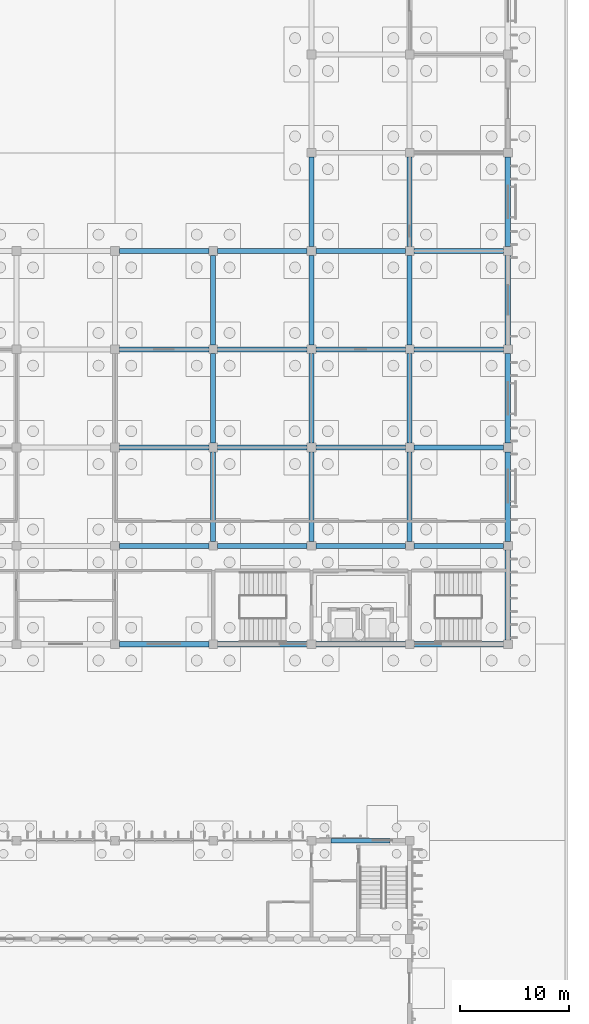
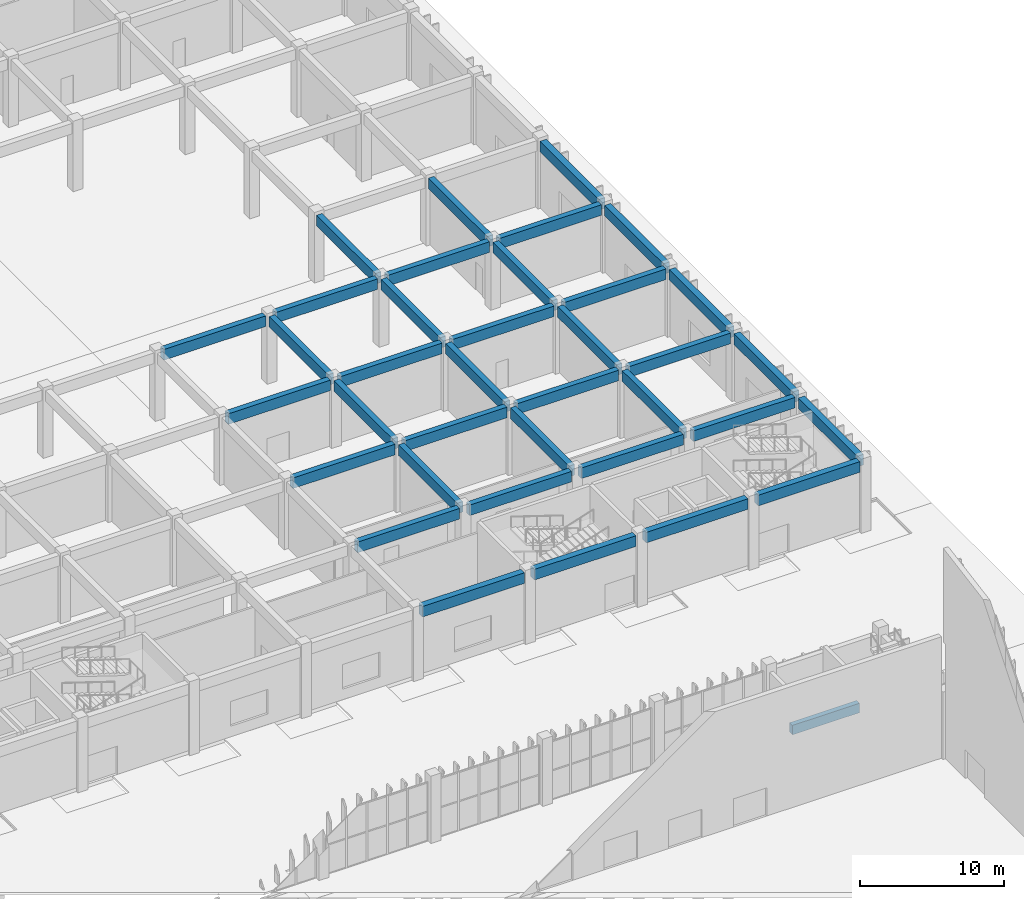
# One storey, part 57 of 198: 37 beams.
"""IFC4 building model written with IfcOpenShell, lengths in metres."""

from ifc_helpers import new_model, si_unit, direction, frame, origin, origin_2d, place, context, subcontext, project, spatial, rectangle, extrude, material, material_profile, profile_set, type_object, element, save


model = new_model("IFC4")

# Units and contexts
model_context = context("Model", 3, precision=1e-05, world=origin(), true_north=direction((0.0, 1.0)))
body_context = subcontext(model_context, "Body", "Model", "MODEL_VIEW")
ifc_project = project(units=[si_unit("LENGTHUNIT", "METRE"), si_unit("AREAUNIT", "SQUARE_METRE"), si_unit("VOLUMEUNIT", "CUBIC_METRE"), si_unit("PLANEANGLEUNIT", "RADIAN"), si_unit("MASSUNIT", "GRAM", prefix="KILO")], contexts=[model_context])

# Site, building, storey
site_placement = place(None, origin())
site = spatial("IfcSite", under=ifc_project, at=site_placement, CompositionType="ELEMENT")
building_placement = place(site_placement, origin())
building = spatial("IfcBuilding", under=site, at=building_placement, Name="Opaline Strait Convention Centre", CompositionType="ELEMENT")
storey_placement = place(building_placement, origin())
storey = spatial("IfcBuildingStorey", under=building, at=storey_placement, Name="L00", CompositionType="ELEMENT", Elevation=0.0)

# Beams
ifc_material = material(Name="Concrete C35", Category="concrete")
ifc_material_profile_1 = material_profile(ifc_material, rectangle(XDim=0.39990234375, YDim=0.800048828125, at=origin_2d()), Name="RC 400x800")
ifc_profile_set_1 = profile_set([ifc_material_profile_1], Name="Concrete C35")
beam_type_1 = type_object("IfcBeamType", Name="Ground beam 400x800 C35", PredefinedType="BEAM", material=ifc_profile_set_1)
beam_placement = place(storey_placement, frame((343.800048828125, 72.0, -0.699951171875), z_axis=(1.0, 0.0, 0.0), x_axis=(0.0, 1.0, 0.0)))
element("IfcBeam", 1, at=beam_placement, inside=storey, type_object=beam_type_1, Name="BG1 ground beam 39/J-40/J", PredefinedType="BEAM", context=body_context, shape_type="SweptSolid", body=[
    extrude(rectangle(XDim=0.39990234375, YDim=0.800048828125, at=origin_2d()), origin(), (0.0, 0.0, 1.0), 5.39990234375),
])
ifc_material_profile_2 = material_profile(ifc_material, rectangle(XDim=0.449951171875, YDim=0.89990234375, at=origin_2d()), Name="RC 450x900")
ifc_profile_set_2 = profile_set([ifc_material_profile_2], Name="Concrete C35")
beam_type_2 = type_object("IfcBeamType", Name="RC beam 450x900 C35", PredefinedType="BEAM", material=ifc_profile_set_2)
for number, where, z_axis, x_axis, name in (
    (2, (324.39990234375, 99.0, 5.27001953125), (1.0, 0.0, 0.0), (0.0, 1.0, 0.0), "XB1 L00 37/M-38/M"),
    (3, (333.39990234375, 99.0, 5.27001953125), (1.0, 0.0, 0.0), (0.0, 1.0, 0.0), "XB1 L00 38/M-39/M"),
    (4, (342.39990234375, 99.0, 5.27001953125), (1.0, 0.0, 0.0), (0.0, 1.0, 0.0), "XB1 L00 39/M-40/M"),
    (5, (351.39990234375, 99.0, 5.27001953125), (1.0, 0.0, 0.0), (0.0, 1.0, 0.0), "XB1 L00 40/M-41/M"),
    (6, (324.39990234375, 108.0, 5.27001953125), (1.0, 0.0, 0.0), (0.0, 1.0, 0.0), "XB1 L00 37/N-38/N"),
    (7, (333.39990234375, 108.0, 5.27001953125), (1.0, 0.0, 0.0), (0.0, 1.0, 0.0), "XB1 L00 38/N-39/N"),
    (8, (342.39990234375, 108.0, 5.27001953125), (1.0, 0.0, 0.0), (0.0, 1.0, 0.0), "XB1 L00 39/N-40/N"),
    (9, (351.39990234375, 108.0, 5.27001953125), (1.0, 0.0, 0.0), (0.0, 1.0, 0.0), "XB1 L00 40/N-41/N"),
    (10, (324.39990234375, 117.0, 5.27001953125), (1.0, 0.0, 0.0), (0.0, 1.0, 0.0), "XB1 L00 37/P-38/P"),
    (11, (333.39990234375, 117.0, 5.27001953125), (1.0, 0.0, 0.0), (0.0, 1.0, 0.0), "XB1 L00 38/P-39/P"),
    (12, (342.39990234375, 117.0, 5.27001953125), (1.0, 0.0, 0.0), (0.0, 1.0, 0.0), "XB1 L00 39/P-40/P"),
    (13, (351.39990234375, 117.0, 5.27001953125), (1.0, 0.0, 0.0), (0.0, 1.0, 0.0), "XB1 L00 40/P-41/P"),
    (14, (324.39990234375, 126.0, 5.27001953125), (1.0, 0.0, 0.0), (0.0, 1.0, 0.0), "XB1 L00 37/Q-38/Q"),
    (15, (333.39990234375, 126.0, 5.27001953125), (1.0, 0.0, 0.0), (0.0, 1.0, 0.0), "XB1 L00 38/Q-39/Q"),
    (16, (342.39990234375, 126.0, 5.27001953125), (1.0, 0.0, 0.0), (0.0, 1.0, 0.0), "XB1 L00 39/Q-40/Q"),
    (17, (351.39990234375, 126.0, 5.27001953125), (1.0, 0.0, 0.0), (0.0, 1.0, 0.0), "XB1 L00 40/Q-41/Q"),
    (18, (333.0, 99.39990234375, 5.27001953125), (0.0, 1.0, 0.0), (-1.0, 0.0, 0.0), "XB1 L00 38/M-38/N"),
    (19, (333.0, 108.39990234375, 5.27001953125), (0.0, 1.0, 0.0), (-1.0, 0.0, 0.0), "XB1 L00 38/N-38/P"),
    (20, (333.0, 117.39990234375, 5.27001953125), (0.0, 1.0, 0.0), (-1.0, 0.0, 0.0), "XB1 L00 38/P-38/Q"),
    (21, (342.0, 99.39990234375, 5.27001953125), (0.0, 1.0, 0.0), (-1.0, 0.0, 0.0), "XB1 L00 39/M-39/N"),
    (22, (342.0, 108.39990234375, 5.27001953125), (0.0, 1.0, 0.0), (-1.0, 0.0, 0.0), "XB1 L00 39/N-39/P"),
    (23, (342.0, 117.39990234375, 5.27001953125), (0.0, 1.0, 0.0), (-1.0, 0.0, 0.0), "XB1 L00 39/P-39/Q"),
    (24, (342.0, 126.39990234375, 5.27001953125), (0.0, 1.0, 0.0), (-1.0, 0.0, 0.0), "XB1 L00 39/Q-39/R"),
    (25, (351.0, 99.39990234375, 5.27001953125), (0.0, 1.0, 0.0), (-1.0, 0.0, 0.0), "XB1 L00 40/M-40/N"),
    (26, (351.0, 108.39990234375, 5.27001953125), (0.0, 1.0, 0.0), (-1.0, 0.0, 0.0), "XB1 L00 40/N-40/P"),
    (27, (351.0, 117.39990234375, 5.27001953125), (0.0, 1.0, 0.0), (-1.0, 0.0, 0.0), "XB1 L00 40/P-40/Q"),
    (28, (351.0, 126.39990234375, 5.27001953125), (0.0, 1.0, 0.0), (-1.0, 0.0, 0.0), "XB1 L00 40/Q-40/R"),
):
    element("IfcBeam", number, at=place(storey_placement, frame(where, z_axis=z_axis, x_axis=x_axis)), inside=storey, type_object=beam_type_2, Name=name, PredefinedType="BEAM", context=body_context, shape_type="SweptSolid", body=[
        extrude(rectangle(XDim=0.449951171875, YDim=0.89990234375, at=origin_2d()), origin(), (0.0, 0.0, 1.0), 8.2001953125),
    ])
ifc_material_profile_3 = material_profile(ifc_material, rectangle(XDim=0.5, YDim=0.89990234375, at=origin_2d()), Name="RC 500x900")
ifc_profile_set_3 = profile_set([ifc_material_profile_3], Name="Concrete C35")
beam_type_3 = type_object("IfcBeamType", Name="RC edge beam 500x900 C35", PredefinedType="BEAM", material=ifc_profile_set_3)
for number, where, z_axis, x_axis, name in (
    (29, (324.39990234375, 90.0, 5.27001953125), (1.0, 0.0, 0.0), (0.0, 1.0, 0.0), "MRB2 L00 37/L-38/L"),
    (30, (333.39990234375, 90.0, 5.27001953125), (1.0, 0.0, 0.0), (0.0, 1.0, 0.0), "MRB2 L00 38/L-39/L"),
    (31, (342.39990234375, 90.0, 5.27001953125), (1.0, 0.0, 0.0), (0.0, 1.0, 0.0), "MRB2 L00 39/L-40/L"),
    (32, (351.39990234375, 90.0, 5.27001953125), (1.0, 0.0, 0.0), (0.0, 1.0, 0.0), "MRB2 L00 40/L-41/L"),
    (33, (360.0, 90.39990234375, 5.27001953125), (0.0, 1.0, 0.0), (-1.0, 0.0, 0.0), "MRB2 L00 41/L-41/M"),
    (34, (360.0, 99.39990234375, 5.27001953125), (0.0, 1.0, 0.0), (-1.0, 0.0, 0.0), "MRB2 L00 41/M-41/N"),
    (35, (360.0, 108.39990234375, 5.27001953125), (0.0, 1.0, 0.0), (-1.0, 0.0, 0.0), "MRB2 L00 41/N-41/P"),
    (36, (360.0, 117.39990234375, 5.27001953125), (0.0, 1.0, 0.0), (-1.0, 0.0, 0.0), "MRB2 L00 41/P-41/Q"),
    (37, (360.0, 126.39990234375, 5.27001953125), (0.0, 1.0, 0.0), (-1.0, 0.0, 0.0), "MRB2 L00 41/Q-41/R"),
):
    element("IfcBeam", number, at=place(storey_placement, frame(where, z_axis=z_axis, x_axis=x_axis)), inside=storey, type_object=beam_type_3, Name=name, PredefinedType="BEAM", context=body_context, shape_type="SweptSolid", body=[
        extrude(rectangle(XDim=0.5, YDim=0.89990234375, at=origin_2d()), origin(), (0.0, 0.0, 1.0), 8.2001953125),
    ])

save(model, "model.ifc")
